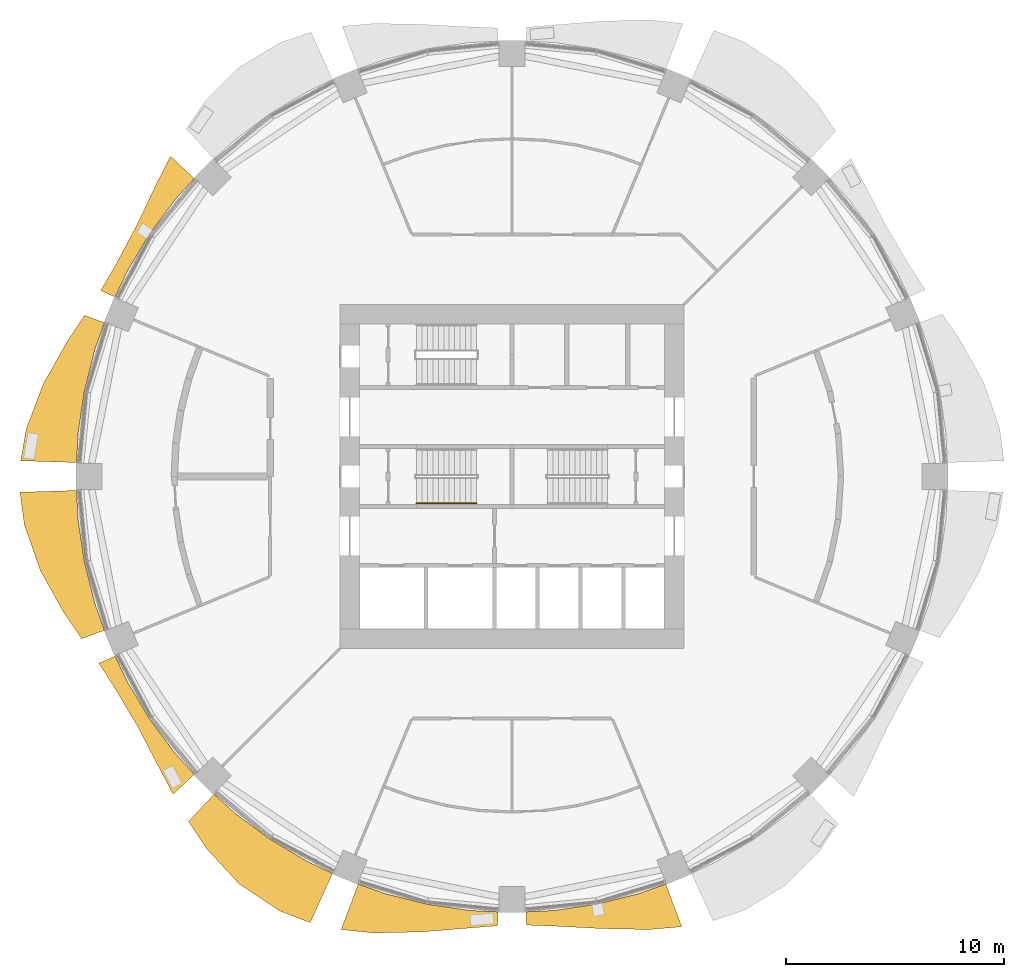
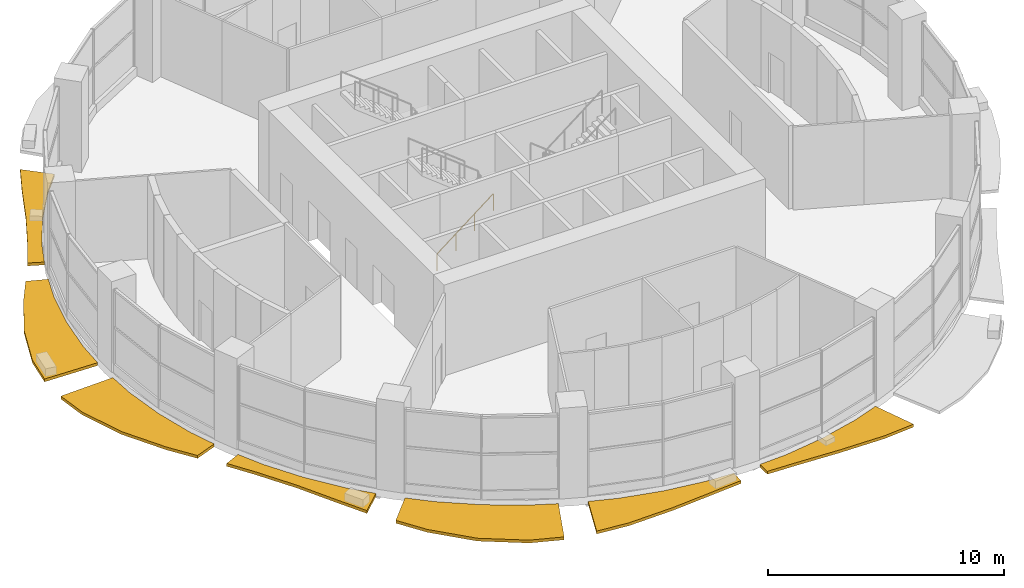
# One storey, part 11 of 14: 7 shading devices, 1 railing.
"""IFC4 building model written with IfcOpenShell, lengths in metres."""

from ifc_helpers import new_model, si_unit, direction, frame, origin, origin_2d, place, context, subcontext, project, spatial, polyline, circle, outline, extrude, material, type_object, element, save


model = new_model("IFC4")

# Units and contexts
model_context = context("Model", 3, precision=1e-05, world=origin(), true_north=direction((0.0, 1.0)))
body_context = subcontext(model_context, "Body", "Model", "MODEL_VIEW")
ifc_project = project(units=[si_unit("LENGTHUNIT", "METRE"), si_unit("AREAUNIT", "SQUARE_METRE"), si_unit("VOLUMEUNIT", "CUBIC_METRE"), si_unit("PLANEANGLEUNIT", "RADIAN"), si_unit("MASSUNIT", "GRAM", prefix="KILO")], contexts=[model_context])

# Site, building, storey
site_placement = place(None, origin())
site = spatial("IfcSite", under=ifc_project, at=site_placement, CompositionType="ELEMENT")
building_placement = place(site_placement, origin())
building = spatial("IfcBuilding", under=site, at=building_placement, Name="Polderwave Tower", CompositionType="ELEMENT")
storey_placement = place(building_placement, frame((0.0, 0.0, 5.199951171875)))
storey = spatial("IfcBuildingStorey", under=building, at=storey_placement, Name="L01", CompositionType="ELEMENT", Elevation=5.199951171875)

# Railing
ifc_material_1 = material(Name="Stainless steel", Category="steel")
railing_type = type_object("IfcRailingType", Name="Stair handrail 900", PredefinedType="HANDRAIL", material=ifc_material_1)
railing_placement = place(storey_placement, frame((-4.3740234375, -1.22509765625, 0.19580078125)))
element("IfcRailing", 1, at=railing_placement, inside=storey, type_object=railing_type, Name="L01 ST-A stair handrail 1", PredefinedType="HANDRAIL", context=body_context, shape_type="SweptSolid", body=[
    extrude(circle(Radius=0.02392578125, at=origin_2d()), frame((0.0, 0.0, 0.8759765625), z_axis=(0.787209958781, 0.0, 0.616685074244), x_axis=(0.0, 1.0, 0.0)), (0.0, 0.0, 1.0), 3.493408203125),
    extrude(circle(Radius=0.02099609375, at=origin_2d()), origin(), (0.0, 0.0, 1.0), 0.851806640625),
    extrude(circle(Radius=0.02099609375, at=origin_2d()), frame((0.916748046875, 0.0, 0.718017578125)), (0.0, 0.0, 1.0), 0.851806640625),
    extrude(circle(Radius=0.02099609375, at=origin_2d()), frame((1.833251953125, 0.0, 1.436279296875)), (0.0, 0.0, 1.0), 0.851806640625),
    extrude(circle(Radius=0.02099609375, at=origin_2d()), frame((2.75, 0.0, 2.154296875)), (0.0, 0.0, 1.0), 0.851806640625),
])

# Shading devices
ifc_material_2 = material(Name="Terracotta", Category="masonry")
shading_device_type = type_object("IfcShadingDeviceType", Name="Terracotta sunshade band", PredefinedType="USERDEFINED", material=ifc_material_2)
shading_device_1_placement = place(storey_placement, frame((0.0, 0.0, -0.39990234375)))
element("IfcShadingDevice", 2, at=shading_device_1_placement, inside=storey, type_object=shading_device_type, Name="Sunshade band L01 7", ObjectType="SUNSHADE", PredefinedType="USERDEFINED", context=body_context, shape_type="SweptSolid", body=[
    extrude(outline(polyline([(-14.54248046875, 13.64111328125), (-15.42919921875, 12.66259765625), (-16.59619140625, 11.089111328125), (-17.60302734375, 9.4091796875), (-18.167724609375, 8.215087890625), (-18.830322265625, 8.514892578125), (-18.137939453125, 9.69482421875), (-17.1875, 11.484375), (-16.2919921875, 13.370361328125), (-15.630615234375, 14.661865234375), (-14.54248046875, 13.64111328125)])), origin(), (0.0, 0.0, 1.0), 0.14990234375),
])
shading_device_2_placement = place(storey_placement, frame((0.0, 0.0, -0.39990234375)))
element("IfcShadingDevice", 3, at=shading_device_2_placement, inside=storey, type_object=shading_device_type, Name="Sunshade band L01 8", ObjectType="SUNSHADE", PredefinedType="USERDEFINED", context=body_context, shape_type="SweptSolid", body=[
    extrude(outline(polyline([(-18.655517578125, 7.03759765625), (-19.1005859375, 5.794189453125), (-19.576416015625, 3.89404296875), (-19.864013671875, 1.956298828125), (-19.9287109375, 0.637451171875), (-22.489501953125, 0.71923828125), (-22.234619140625, 2.18994140625), (-21.44384765625, 4.265380859375), (-20.3671875, 6.17822265625), (-19.56640625, 7.381103515625), (-18.655517578125, 7.03759765625)])), origin(), (0.0, 0.0, 1.0), 0.14990234375),
])
shading_device_3_placement = place(storey_placement, frame((0.0, 0.0, -0.39990234375)))
element("IfcShadingDevice", 4, at=shading_device_3_placement, inside=storey, type_object=shading_device_type, Name="Sunshade band L01 9", ObjectType="SUNSHADE", PredefinedType="USERDEFINED", context=body_context, shape_type="SweptSolid", body=[
    extrude(outline(polyline([(-19.9287109375, -0.637451171875), (-19.864013671875, -1.956298828125), (-19.576416015625, -3.89404296875), (-19.1005859375, -5.794189453125), (-18.655517578125, -7.03759765625), (-19.696044921875, -7.429931640625), (-20.524169921875, -6.225830078125), (-21.595703125, -4.295654296875), (-22.326904296875, -2.198974609375), (-22.521484375, -0.72021484375), (-19.9287109375, -0.637451171875)])), origin(), (0.0, 0.0, 1.0), 0.14990234375),
])
shading_device_4_placement = place(storey_placement, frame((0.0, 0.0, -0.39990234375)))
element("IfcShadingDevice", 5, at=shading_device_4_placement, inside=storey, type_object=shading_device_type, Name="Sunshade band L01 10", ObjectType="SUNSHADE", PredefinedType="USERDEFINED", context=body_context, shape_type="SweptSolid", body=[
    extrude(outline(polyline([(-18.167724609375, -8.215087890625), (-17.60302734375, -9.4091796875), (-16.59619140625, -11.089111328125), (-15.42919921875, -12.66259765625), (-14.54248046875, -13.64111328125), (-15.510986328125, -14.549560546875), (-16.184326171875, -13.2822265625), (-17.134521484375, -11.44873046875), (-18.166748046875, -9.710205078125), (-18.91552734375, -8.553466796875), (-18.167724609375, -8.215087890625)])), origin(), (0.0, 0.0, 1.0), 0.14990234375),
])
shading_device_5_placement = place(storey_placement, frame((0.0, 0.0, -0.39990234375)))
element("IfcShadingDevice", 6, at=shading_device_5_placement, inside=storey, type_object=shading_device_type, Name="Sunshade band L01 11", ObjectType="SUNSHADE", PredefinedType="USERDEFINED", context=body_context, shape_type="SweptSolid", body=[
    extrude(outline(polyline([(-13.64111328125, -14.54248046875), (-12.66259765625, -15.42919921875), (-11.089111328125, -16.59619140625), (-9.4091796875, -17.60302734375), (-8.215087890625, -18.167724609375), (-9.234130859375, -20.4208984375), (-10.631591796875, -19.890625), (-12.4716796875, -18.665283203125), (-13.984619140625, -17.040283203125), (-14.809326171875, -15.7880859375), (-13.64111328125, -14.54248046875)])), origin(), (0.0, 0.0, 1.0), 0.14990234375),
])
shading_device_6_placement = place(storey_placement, frame((0.0, 0.0, -0.39990234375)))
element("IfcShadingDevice", 7, at=shading_device_6_placement, inside=storey, type_object=shading_device_type, Name="Sunshade band L01 12", ObjectType="SUNSHADE", PredefinedType="USERDEFINED", context=body_context, shape_type="SweptSolid", body=[
    extrude(outline(polyline([(-7.03759765625, -18.655517578125), (-5.794189453125, -19.1005859375), (-3.89404296875, -19.576416015625), (-1.956298828125, -19.864013671875), (-0.637451171875, -19.9287109375), (-0.65771484375, -20.566162109375), (-2.03662109375, -20.677978515625), (-4.146728515625, -20.847412109375), (-6.3388671875, -20.896240234375), (-7.823486328125, -20.739013671875), (-7.03759765625, -18.655517578125)])), origin(), (0.0, 0.0, 1.0), 0.14990234375),
])
shading_device_7_placement = place(storey_placement, frame((0.0, 0.0, -0.39990234375)))
element("IfcShadingDevice", 8, at=shading_device_7_placement, inside=storey, type_object=shading_device_type, Name="Sunshade band L01 13", ObjectType="SUNSHADE", PredefinedType="USERDEFINED", context=body_context, shape_type="SweptSolid", body=[
    extrude(outline(polyline([(0.637451171875, -19.9287109375), (1.956298828125, -19.864013671875), (3.89404296875, -19.576416015625), (5.794189453125, -19.1005859375), (7.03759765625, -18.655517578125), (7.7744140625, -20.609130859375), (6.291015625, -20.739013671875), (4.11669921875, -20.69580078125), (2.027587890625, -20.58544921875), (0.65673828125, -20.5341796875), (0.637451171875, -19.9287109375)])), origin(), (0.0, 0.0, 1.0), 0.14990234375),
])

save(model, "model.ifc")
